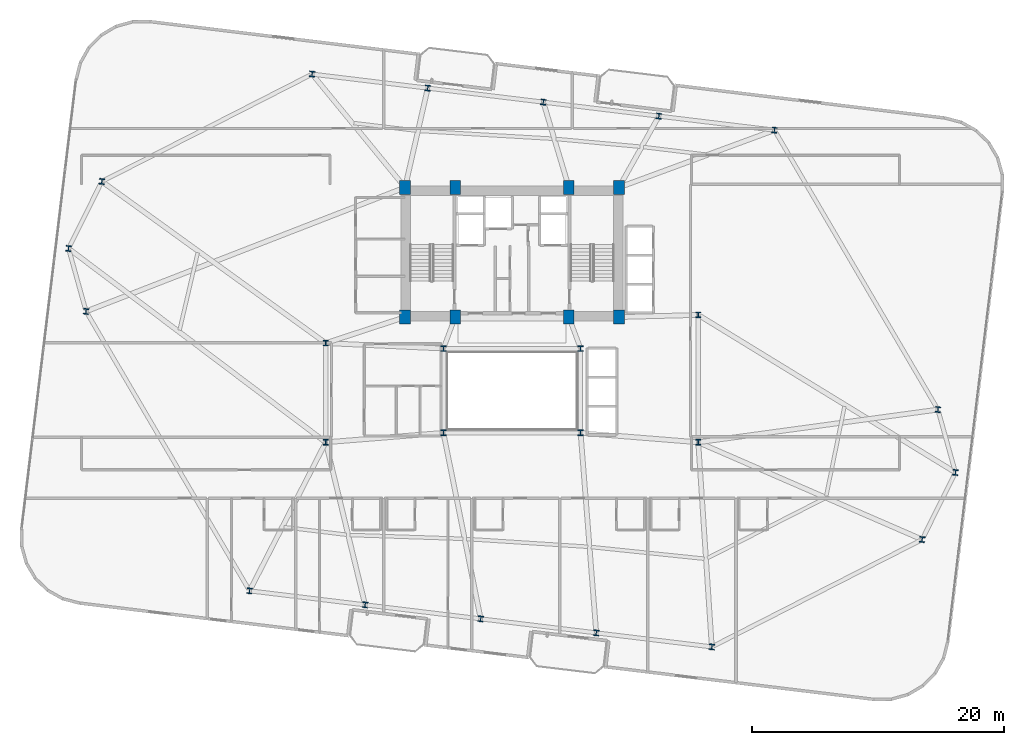
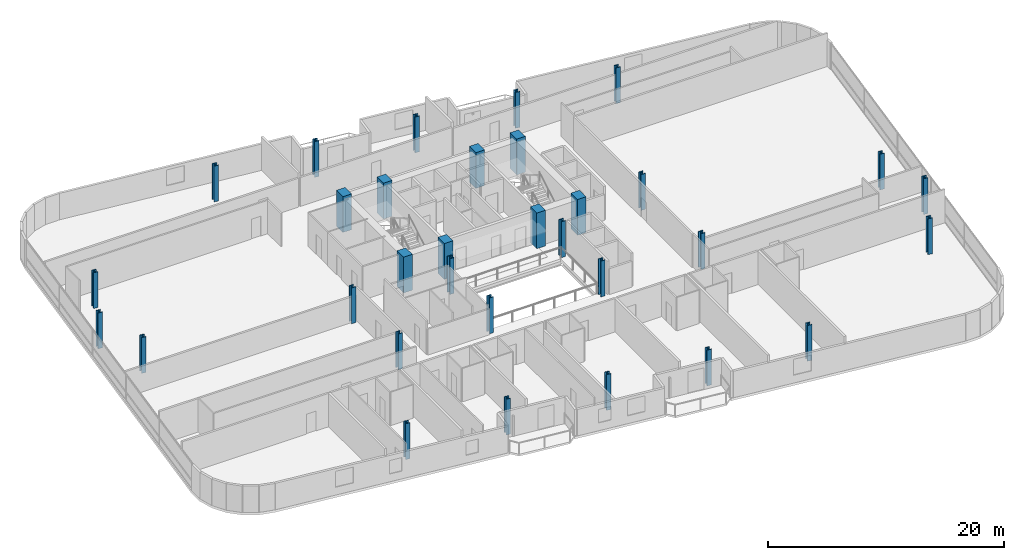
# One storey, part 1 of 26: 32 columns.
"""IFC4 building model written with IfcOpenShell, lengths in metres."""

from ifc_helpers import new_model, si_unit, direction, frame, origin, origin_2d, place, context, subcontext, project, spatial, rectangle, i_section, extrude, material, material_profile, profile_set, type_object, element, save


model = new_model("IFC4")

# Units and contexts
model_context = context("Model", 3, precision=1e-05, world=origin(), true_north=direction((0.0, 1.0)))
body_context = subcontext(model_context, "Body", "Model", "MODEL_VIEW")
ifc_project = project(units=[si_unit("LENGTHUNIT", "METRE"), si_unit("AREAUNIT", "SQUARE_METRE"), si_unit("VOLUMEUNIT", "CUBIC_METRE"), si_unit("PLANEANGLEUNIT", "RADIAN"), si_unit("MASSUNIT", "GRAM", prefix="KILO")], contexts=[model_context])

# Site, building, storey
site_placement = place(None, origin())
site = spatial("IfcSite", under=ifc_project, at=site_placement, CompositionType="ELEMENT")
building_placement = place(site_placement, origin())
building = spatial("IfcBuilding", under=site, at=building_placement, Name="Varnelok Gate Tower", CompositionType="ELEMENT")
storey_placement = place(building_placement, frame((0.0, 0.0, 155.0)))
storey = spatial("IfcBuildingStorey", under=building, at=storey_placement, Name="L39", CompositionType="ELEMENT", Elevation=155.0)

# Columns
ifc_material_1 = material(Name="Concrete C60/75", Category="concrete")
ifc_material_profile_1 = material_profile(ifc_material_1, rectangle(XDim=0.85009765625, YDim=1.10009765625, at=origin_2d()), Name="RC1100X850")
ifc_profile_set_1 = profile_set([ifc_material_profile_1], Name="Concrete C60/75")
column_type_1 = type_object("IfcColumnType", Name="COL-RC1100X850", PredefinedType="COLUMN", material=ifc_profile_set_1)
for number, where, z_axis, x_axis, name in (
    (1, (30.699951171875, 28.75, 0.0), (0.0, 0.0, 1.0), (1.0, 0.0, 0.0), "L39 Core Spine Column SC1"),
    (2, (34.679931640625, 28.75, 0.0), (0.0, 0.0, 1.0), (1.0, 0.0, 0.0), "L39 Core Spine Column SC2"),
    (3, (43.719970703125, 28.75, 0.0), (0.0, 0.0, 1.0), (1.0, 0.0, 0.0), "L39 Core Spine Column SC3"),
    (4, (47.699951171875, 28.75, 0.0), (0.0, 0.0, 1.0), (1.0, 0.0, 0.0), "L39 Core Spine Column SC4"),
    (5, (30.699951171875, 39.050048828125, 0.0), (0.0, 0.0, 1.0), (1.0, 0.0, 0.0), "L39 Core Spine Column SC5"),
    (6, (34.679931640625, 39.050048828125, 0.0), (0.0, 0.0, 1.0), (1.0, 0.0, 0.0), "L39 Core Spine Column SC6"),
    (7, (43.719970703125, 39.050048828125, 0.0), (0.0, 0.0, 1.0), (1.0, 0.0, 0.0), "L39 Core Spine Column SC7"),
    (8, (47.699951171875, 39.050048828125, 0.0), (0.0, 0.0, 1.0), (1.0, 0.0, 0.0), "L39 Core Spine Column SC8"),
):
    element("IfcColumn", number, at=place(storey_placement, frame(where, z_axis=z_axis, x_axis=x_axis)), inside=storey, type_object=column_type_1, Name=name, PredefinedType="COLUMN", context=body_context, shape_type="SweptSolid", body=[
        extrude(rectangle(XDim=0.85009765625, YDim=1.10009765625, at=origin_2d()), origin(), (0.0, 0.0, 1.0), 3.699951171875),
    ])
ifc_material_2 = material(Name="Structural Steel ASTM A992 Grade 50", Category="steel")
ifc_material_profile_2 = material_profile(ifc_material_2, i_section(OverallWidth=0.41796875, OverallDepth=0.455078125, WebThickness=0.0419921875, FlangeThickness=0.067626953125, FilletRadius=0.02490234375, at=origin_2d()), Name="W14X370")
ifc_profile_set_2 = profile_set([ifc_material_profile_2], Name="Structural Steel ASTM A992 Grade 50")
column_type_2 = type_object("IfcColumnType", Name="COL-W14X370", PredefinedType="COLUMN", material=ifc_profile_set_2)
for number, where, z_axis, x_axis, name in (
    (9, (33.75, 19.550048828125, 0.0), (0.0, 0.0, 1.0), (1.0, 0.0, 0.0), "L39 Atrium Spine Column AC1"),
    (10, (44.64990234375, 19.550048828125, 0.0), (0.0, 0.0, 1.0), (1.0, 0.0, 0.0), "L39 Atrium Spine Column AC2"),
    (11, (33.75, 26.25, 0.0), (0.0, 0.0, 1.0), (1.0, 0.0, 0.0), "L39 Atrium Spine Column AC3"),
    (12, (44.64990234375, 26.25, 0.0), (0.0, 0.0, 1.0), (1.0, 0.0, 0.0), "L39 Atrium Spine Column AC4"),
    (13, (24.39990234375, 18.800048828125, 0.0), (0.0, 0.0, 1.0), (1.0, 0.0, 0.0), "L39 Wing Spine Column WS1"),
    (14, (24.39990234375, 26.679931640625, 0.0), (0.0, 0.0, 1.0), (1.0, 0.0, 0.0), "L39 Wing Spine Column WS2"),
    (15, (54.0, 18.800048828125, 0.0), (0.0, 0.0, 1.0), (1.0, 0.0, 0.0), "L39 Wing Spine Column ES1"),
    (16, (54.0, 28.919921875, 0.0), (0.0, 0.0, 1.0), (1.0, 0.0, 0.0), "L39 Wing Spine Column ES2"),
    (17, (18.345703125, 6.99658203125, 0.0), (0.0, 0.0, 1.0), (0.992732158755, -0.12034475881, 0.0), "L39 B3 Perimeter Column PC01"),
    (18, (27.528564453125, 5.883544921875, 0.0), (0.0, 0.0, 1.0), (0.992732158755, -0.12034475881, 0.0), "L39 B3 Perimeter Column PC02"),
    (19, (36.711181640625, 4.770263671875, 0.0), (0.0, 0.0, 1.0), (0.992732158755, -0.12034475881, 0.0), "L39 B3 Perimeter Column PC03"),
    (20, (45.89404296875, 3.656982421875, 0.0), (0.0, 0.0, 1.0), (0.992732158755, -0.12034475881, 0.0), "L39 B3 Perimeter Column PC04"),
    (21, (55.076904296875, 2.5439453125, 0.0), (0.0, 0.0, 1.0), (0.992732158755, -0.12034475881, 0.0), "L39 B3 Perimeter Column PC05"),
    (22, (71.79296875, 11.07421875, 0.0), (0.0, 0.0, 1.0), (0.992732158755, -0.12034475881, 0.0), "L39 B3 Perimeter Column PC06"),
    (23, (74.435546875, 16.40478515625, 0.0), (0.0, 0.0, 1.0), (0.992732158755, -0.12034475881, 0.0), "L39 B3 Perimeter Column PC07"),
    (24, (73.04443359375, 21.398681640625, 0.0), (0.0, 0.0, 1.0), (0.992732158755, -0.12034475881, 0.0), "L39 B3 Perimeter Column PC08"),
    (25, (60.05419921875, 43.603271484375, 0.0), (0.0, 0.0, 1.0), (0.992732158755, -0.12034475881, 0.0), "L39 B3 Perimeter Column PC09"),
    (26, (50.87158203125, 44.716552734375, 0.0), (0.0, 0.0, 1.0), (0.992732158755, -0.12034475881, 0.0), "L39 B3 Perimeter Column PC10"),
    (27, (41.688720703125, 45.82958984375, 0.0), (0.0, 0.0, 1.0), (0.992732158755, -0.12034475881, 0.0), "L39 B3 Perimeter Column PC11"),
    (28, (32.506103515625, 46.94287109375, 0.0), (0.0, 0.0, 1.0), (0.992732158755, -0.12034475881, 0.0), "L39 B3 Perimeter Column PC12"),
    (29, (23.3232421875, 48.05615234375, 0.0), (0.0, 0.0, 1.0), (0.992732158755, -0.12034475881, 0.0), "L39 B3 Perimeter Column PC13"),
    (30, (6.607177734375, 39.52587890625, 0.0), (0.0, 0.0, 1.0), (0.992732158755, -0.12034475881, 0.0), "L39 B3 Perimeter Column PC14"),
    (31, (3.96435546875, 34.195068359375, 0.0), (0.0, 0.0, 1.0), (0.992732158755, -0.12034475881, 0.0), "L39 B3 Perimeter Column PC15"),
    (32, (5.35546875, 29.201416015625, 0.0), (0.0, 0.0, 1.0), (0.992732158755, -0.12034475881, 0.0), "L39 B3 Perimeter Column PC16"),
):
    element("IfcColumn", number, at=place(storey_placement, frame(where, z_axis=z_axis, x_axis=x_axis)), inside=storey, type_object=column_type_2, Name=name, PredefinedType="COLUMN", context=body_context, shape_type="SweptSolid", body=[
        extrude(i_section(OverallWidth=0.41796875, OverallDepth=0.455078125, WebThickness=0.0419921875, FlangeThickness=0.067626953125, FilletRadius=0.02490234375, at=origin_2d()), origin(), (0.0, 0.0, 1.0), 3.699951171875),
    ])

save(model, "model.ifc")
